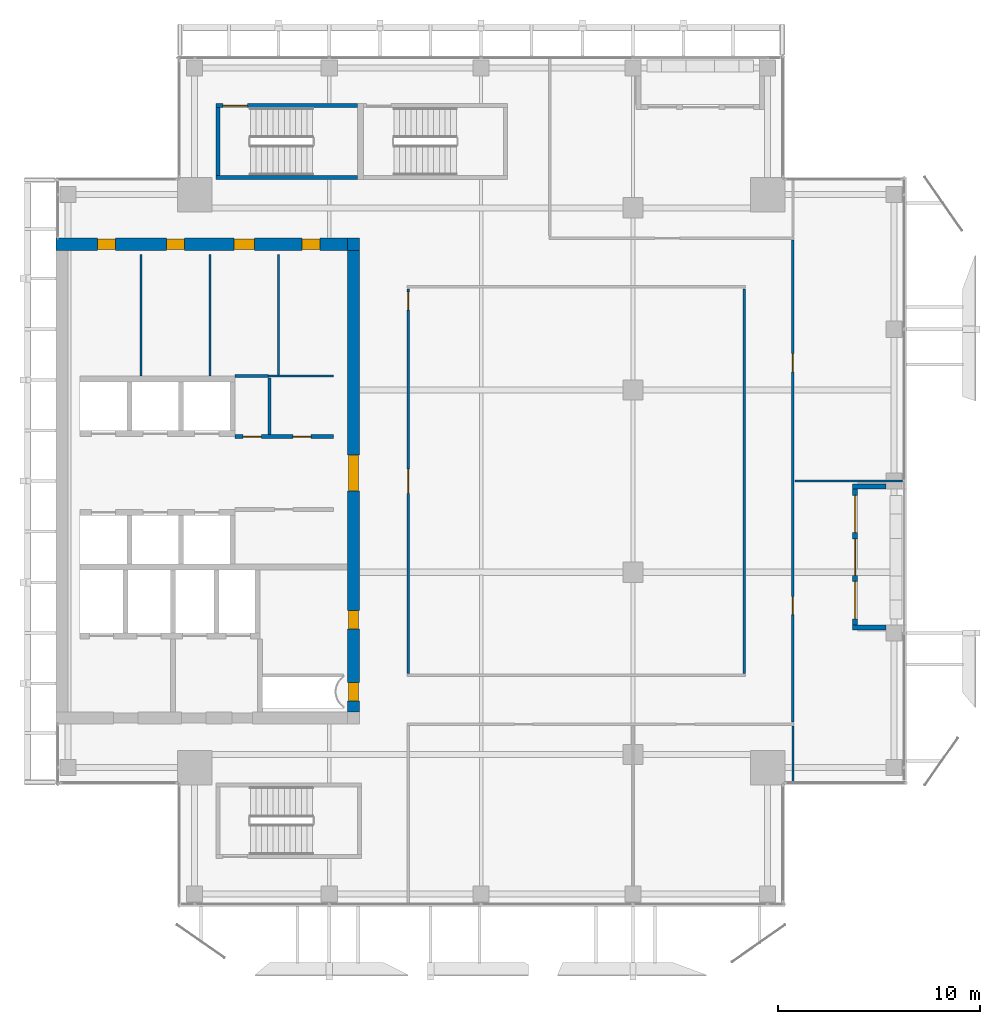
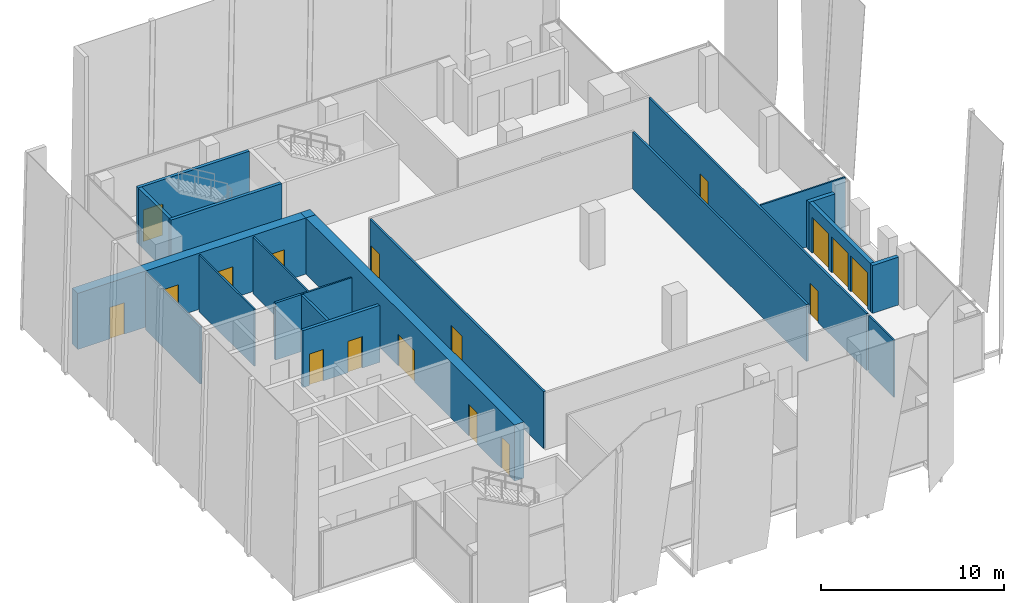
# One storey, part 27 of 32: 21 walls, 15 doors, 2 windows, 17 openings.
"""IFC4 building model written with IfcOpenShell, lengths in metres."""

from ifc_helpers import new_model, si_unit, direction, frame, frame_2d, origin, place, context, subcontext, project, spatial, rectangle, extrude, source, transform, mapped, material, layer, layer_set, type_object, element, fill, save


model = new_model("IFC4")

# Units and contexts
model_context = context("Model", 3, precision=1e-05, world=origin(), true_north=direction((0.0, 1.0)))
body_context = subcontext(model_context, "Body", "Model", "MODEL_VIEW")
ifc_project = project(units=[si_unit("LENGTHUNIT", "METRE"), si_unit("AREAUNIT", "SQUARE_METRE"), si_unit("VOLUMEUNIT", "CUBIC_METRE"), si_unit("PLANEANGLEUNIT", "RADIAN"), si_unit("MASSUNIT", "GRAM", prefix="KILO")], contexts=[model_context])

# Site, building, storey
site_placement = place(None, origin())
site = spatial("IfcSite", under=ifc_project, at=site_placement, CompositionType="ELEMENT")
building_placement = place(site_placement, origin())
building = spatial("IfcBuilding", under=site, at=building_placement, Name="Khomas Fold Tower", CompositionType="ELEMENT")
storey_placement = place(building_placement, frame((0.0, 0.0, 318.199951171875)))
storey = spatial("IfcBuildingStorey", under=building, at=storey_placement, Name="L72", CompositionType="ELEMENT", Elevation=318.199951171875)

# Wall, opening, door
ifc_material_1 = material(Name="Concrete C50/60", Category="concrete")
ifc_layer_1 = layer(ifc_material_1, 0.199951171875)
ifc_layer_set_1 = layer_set([ifc_layer_1], Name="Concrete C50/60")
wall_type_1 = type_object("IfcWallType", Name="Stair wall 200", PredefinedType="SHEAR", material=ifc_layer_set_1)
shared_shape_1 = source(origin(), body_context, "Body", "SweptSolid", [
    extrude(rectangle(XDim=7.0, YDim=0.199951171875, at=frame_2d((3.5, 0.0))), origin(), (0.0, 0.0, 1.0), 3.75),
])
wall_1_placement = place(storey_placement, frame((13.89990234375, 45.550048828125, 0.0), z_axis=(0.0, 0.0, 1.0), x_axis=(1.0, 0.0, 0.0)))
wall_1 = element("IfcWall", 1, at=wall_1_placement, inside=storey, type_object=wall_type_1, Name="Stair wall SW-ST1-N", PredefinedType="SHEAR", context=body_context, shape_type="MappedRepresentation", body=[
    mapped(shared_shape_1, transform((0.0, 0.0, 0.0))),
])
shared_shape_2 = source(origin(), body_context, "Body", "SweptSolid", [
    extrude(rectangle(XDim=1.199951171875, YDim=2.10009765625, at=frame_2d((0.60009765625, 1.050048828125))), frame((0.0, 0.10986328125, 0.0), z_axis=(0.0, -1.0, 0.0), x_axis=(1.0, 0.0, 0.0)), (0.0, 0.0, 1.0), 0.219970703125),
])
opening_1_placement = place(wall_1_placement, frame((0.35009765625, 0.0, 0.0)))
opening_1 = element("IfcOpeningElement", 2, at=opening_1_placement, cuts=wall_1, Name="Opening SD-ST1", PredefinedType="OPENING", context=body_context, shape_type="MappedRepresentation", body=[
    mapped(shared_shape_2, transform((0.0, 0.0, 0.0))),
])
ifc_material_2 = material(Name="Steel door leaf", Category="steel")
door_type_1 = type_object("IfcDoorType", Name="Stair door 1200x2100 left-hand", OperationType="SINGLE_SWING_LEFT", PredefinedType="DOOR", material=ifc_material_2)
shared_shape_3 = source(origin(), body_context, "Body", "SweptSolid", [
    extrude(rectangle(XDim=1.199951171875, YDim=2.10009765625, at=frame_2d((0.60009765625, 1.050048828125))), frame((0.0, 0.02490234375, 0.0), z_axis=(0.0, -1.0, 0.0), x_axis=(1.0, 0.0, 0.0)), (0.0, 0.0, 1.0), 0.050048828125),
])
door_1_placement = place(opening_1_placement, origin())
door_1 = element("IfcDoor", 3, at=door_1_placement, inside=storey, type_object=door_type_1, Name="Stair door", OperationType="SINGLE_SWING_LEFT", OverallHeight=2.10009765625, OverallWidth=1.199951171875, PredefinedType="DOOR", context=body_context, shape_type="MappedRepresentation", body=[
    mapped(shared_shape_3, transform((0.0, 0.0, 0.0))),
])
fill(opening_1, door_1)

# Walls
wall_2_placement = place(storey_placement, frame((13.89990234375, 42.0, 0.0), z_axis=(0.0, 0.0, 1.0), x_axis=(1.0, 0.0, 0.0)))
element("IfcWall", 4, at=wall_2_placement, inside=storey, type_object=wall_type_1, Name="Stair wall SW-ST1-S", PredefinedType="SHEAR", context=body_context, shape_type="MappedRepresentation", body=[
    mapped(shared_shape_1, transform((0.0, 0.0, 0.0))),
])
shared_shape_4 = source(origin(), body_context, "Body", "SweptSolid", [
    extrude(rectangle(XDim=3.349853515625, YDim=0.199951171875, at=frame_2d((1.6748046875, 0.0))), origin(), (0.0, 0.0, 1.0), 3.75),
])
wall_3_placement = place(storey_placement, frame((14.0, 42.10009765625, 0.0), z_axis=(0.0, 0.0, 1.0), x_axis=(0.0, 1.0, 0.0)))
element("IfcWall", 5, at=wall_3_placement, inside=storey, type_object=wall_type_1, Name="Stair wall SW-ST1-W", PredefinedType="SHEAR", context=body_context, shape_type="MappedRepresentation", body=[
    mapped(shared_shape_4, transform((0.0, 0.0, 0.0))),
])

# Wall, openings, doors
ifc_material_3 = material(Name="Concrete C50/60", Category="concrete")
ifc_layer_2 = layer(ifc_material_3, 0.60009765625)
ifc_layer_set_2 = layer_set([ifc_layer_2], Name="Concrete C50/60")
wall_type_2 = type_object("IfcWallType", Name="Core wall 600", PredefinedType="SHEAR", material=ifc_layer_set_2)
shared_shape_5 = source(origin(), body_context, "Body", "SweptSolid", [
    extrude(rectangle(XDim=14.39990234375, YDim=0.60009765625, at=frame_2d((7.199951171875, 0.0))), origin(), (0.0, 0.0, 1.0), 3.75),
])
wall_4_placement = place(storey_placement, frame((6.0, 38.699951171875, 0.0), z_axis=(0.0, 0.0, 1.0), x_axis=(1.0, 0.0, 0.0)))
wall_4 = element("IfcWall", 6, at=wall_4_placement, inside=storey, type_object=wall_type_2, Name="Core wall CW-U-N-L63", PredefinedType="SHEAR", context=body_context, shape_type="MappedRepresentation", body=[
    mapped(shared_shape_5, transform((0.0, 0.0, 0.0))),
])
shared_shape_6 = source(origin(), body_context, "Body", "SweptSolid", [
    extrude(rectangle(XDim=0.89990234375, YDim=2.10009765625, at=frame_2d((0.449951171875, 1.050048828125))), frame((0.0, 0.31005859375, 0.0), z_axis=(0.0, -1.0, 0.0), x_axis=(1.0, 0.0, 0.0)), (0.0, 0.0, 1.0), 0.6201171875),
])
opening_2_placement = place(wall_4_placement, frame((2.050048828125, 0.0, 0.0)))
opening_2 = element("IfcOpeningElement", 7, at=opening_2_placement, cuts=wall_4, Name="Opening 0004", PredefinedType="OPENING", context=body_context, shape_type="MappedRepresentation", body=[
    mapped(shared_shape_6, transform((0.0, 0.0, 0.0))),
])
opening_3_placement = place(wall_4_placement, frame((5.449951171875, 0.0, 0.0)))
opening_3 = element("IfcOpeningElement", 8, at=opening_3_placement, cuts=wall_4, Name="Opening 0004", PredefinedType="OPENING", context=body_context, shape_type="MappedRepresentation", body=[
    mapped(shared_shape_6, transform((0.0, 0.0, 0.0))),
])
shared_shape_7 = source(origin(), body_context, "Body", "SweptSolid", [
    extrude(rectangle(XDim=1.0, YDim=2.10009765625, at=frame_2d((0.5, 1.050048828125))), frame((0.0, 0.31005859375, 0.0), z_axis=(0.0, -1.0, 0.0), x_axis=(1.0, 0.0, 0.0)), (0.0, 0.0, 1.0), 0.6201171875),
])
opening_4_placement = place(wall_4_placement, frame((8.800048828125, 0.0, 0.0)))
opening_4 = element("IfcOpeningElement", 9, at=opening_4_placement, cuts=wall_4, Name="Opening 0006", PredefinedType="OPENING", context=body_context, shape_type="MappedRepresentation", body=[
    mapped(shared_shape_7, transform((0.0, 0.0, 0.0))),
])
opening_5_placement = place(wall_4_placement, frame((12.14990234375, 0.0, 0.0)))
opening_5 = element("IfcOpeningElement", 10, at=opening_5_placement, cuts=wall_4, Name="Opening 0008", PredefinedType="OPENING", context=body_context, shape_type="MappedRepresentation", body=[
    mapped(shared_shape_6, transform((0.0, 0.0, 0.0))),
])
ifc_material_4 = material(Name="Timber door leaf", Category="wood")
door_type_2 = type_object("IfcDoorType", Name="WC door 900x2100 right-hand", OperationType="SINGLE_SWING_RIGHT", PredefinedType="DOOR", material=ifc_material_4)
shared_shape_8 = source(origin(), body_context, "Body", "SweptSolid", [
    extrude(rectangle(XDim=0.89990234375, YDim=2.10009765625, at=frame_2d((0.449951171875, 1.050048828125))), frame((0.0, 0.25, 0.0), z_axis=(0.0, -1.0, 0.0), x_axis=(1.0, 0.0, 0.0)), (0.0, 0.0, 1.0), 0.5),
])
door_2_placement = place(opening_2_placement, origin())
door_2 = element("IfcDoor", 11, at=door_2_placement, inside=storey, type_object=door_type_2, Name="WC door", OperationType="SINGLE_SWING_RIGHT", OverallHeight=2.10009765625, OverallWidth=0.89990234375, PredefinedType="DOOR", context=body_context, shape_type="MappedRepresentation", body=[
    mapped(shared_shape_8, transform((0.0, 0.0, 0.0))),
])
fill(opening_2, door_2)
door_3_placement = place(opening_3_placement, origin())
door_3 = element("IfcDoor", 12, at=door_3_placement, inside=storey, type_object=door_type_2, Name="WC door", OperationType="SINGLE_SWING_RIGHT", OverallHeight=2.10009765625, OverallWidth=0.89990234375, PredefinedType="DOOR", context=body_context, shape_type="MappedRepresentation", body=[
    mapped(shared_shape_8, transform((0.0, 0.0, 0.0))),
])
fill(opening_3, door_3)
ifc_material_5 = material(Name="Timber door leaf", Category="wood")
door_type_3 = type_object("IfcDoorType", Name="Door 900x2100 right-hand", OperationType="SINGLE_SWING_RIGHT", PredefinedType="DOOR", material=ifc_material_5)
door_4_placement = place(opening_5_placement, origin())
door_4 = element("IfcDoor", 13, at=door_4_placement, inside=storey, type_object=door_type_3, Name="Door", OperationType="SINGLE_SWING_RIGHT", OverallHeight=2.10009765625, OverallWidth=0.89990234375, PredefinedType="DOOR", context=body_context, shape_type="MappedRepresentation", body=[
    mapped(shared_shape_8, transform((0.0, 0.0, 0.0))),
])
fill(opening_5, door_4)
ifc_material_6 = material(Name="Timber door leaf", Category="wood")
door_type_4 = type_object("IfcDoorType", Name="WC door 1000x2100 right-hand", OperationType="SINGLE_SWING_RIGHT", PredefinedType="DOOR", material=ifc_material_6)
shared_shape_9 = source(origin(), body_context, "Body", "SweptSolid", [
    extrude(rectangle(XDim=1.0, YDim=2.10009765625, at=frame_2d((0.5, 1.050048828125))), frame((0.0, 0.25, 0.0), z_axis=(0.0, -1.0, 0.0), x_axis=(1.0, 0.0, 0.0)), (0.0, 0.0, 1.0), 0.5),
])
door_5_placement = place(opening_4_placement, origin())
door_5 = element("IfcDoor", 14, at=door_5_placement, inside=storey, type_object=door_type_4, Name="WC door", OperationType="SINGLE_SWING_RIGHT", OverallHeight=2.10009765625, OverallWidth=1.0, PredefinedType="DOOR", context=body_context, shape_type="MappedRepresentation", body=[
    mapped(shared_shape_9, transform((0.0, 0.0, 0.0))),
])
fill(opening_4, door_5)

# Wall
ifc_material_7 = material(Name="Concrete C50/60", Category="concrete")
ifc_layer_3 = layer(ifc_material_7, 0.60009765625)
ifc_layer_set_3 = layer_set([ifc_layer_3], Name="Concrete C50/60")
wall_type_3 = type_object("IfcWallType", Name="Core corner wall 600", PredefinedType="SHEAR", material=ifc_layer_set_3)
shared_shape_10 = source(origin(), body_context, "Body", "SweptSolid", [
    extrude(rectangle(XDim=0.60009765625, YDim=0.60009765625, at=frame_2d((0.300048828125, 0.0))), origin(), (0.0, 0.0, 1.0), 3.75),
])
wall_5_placement = place(storey_placement, frame((20.39990234375, 38.699951171875, 0.0), z_axis=(0.0, 0.0, 1.0), x_axis=(1.0, 0.0, 0.0)))
element("IfcWall", 15, at=wall_5_placement, inside=storey, type_object=wall_type_3, Name="Core wall CW-U-NE-L63", PredefinedType="SHEAR", context=body_context, shape_type="MappedRepresentation", body=[
    mapped(shared_shape_10, transform((0.0, 0.0, 0.0))),
])

# Wall, openings, doors
shared_shape_11 = source(origin(), body_context, "Body", "SweptSolid", [
    extrude(rectangle(XDim=22.7998046875, YDim=0.60009765625, at=frame_2d((11.39990234375, 0.0))), origin(), (0.0, 0.0, 1.0), 3.75),
])
wall_6_placement = place(storey_placement, frame((20.699951171875, 15.60009765625, 0.0), z_axis=(0.0, 0.0, 1.0), x_axis=(0.0, 1.0, 0.0)))
wall_6 = element("IfcWall", 16, at=wall_6_placement, inside=storey, type_object=wall_type_2, Name="Core wall CW-U-E-L63", PredefinedType="SHEAR", context=body_context, shape_type="MappedRepresentation", body=[
    mapped(shared_shape_11, transform((0.0, 0.0, 0.0))),
])
shared_shape_12 = source(origin(), body_context, "Body", "SweptSolid", [
    extrude(rectangle(XDim=1.800048828125, YDim=2.10009765625, at=frame_2d((0.89990234375, 1.050048828125))), frame((0.0, 0.31005859375, 0.0), z_axis=(0.0, -1.0, 0.0), x_axis=(1.0, 0.0, 0.0)), (0.0, 0.0, 1.0), 0.6201171875),
])
opening_6_placement = place(wall_6_placement, frame((10.89990234375, 0.0, 0.0)))
opening_6 = element("IfcOpeningElement", 17, at=opening_6_placement, cuts=wall_6, Name="Opening 0015", PredefinedType="OPENING", context=body_context, shape_type="MappedRepresentation", body=[
    mapped(shared_shape_12, transform((0.0, 0.0, 0.0))),
])
opening_7_placement = place(wall_6_placement, frame((0.550048828125, 0.0, 0.0)))
opening_7 = element("IfcOpeningElement", 18, at=opening_7_placement, cuts=wall_6, Name="Opening 0003", PredefinedType="OPENING", context=body_context, shape_type="MappedRepresentation", body=[
    mapped(shared_shape_6, transform((0.0, 0.0, 0.0))),
])
opening_8_placement = place(wall_6_placement, frame((4.10009765625, 0.0, 0.0)))
opening_8 = element("IfcOpeningElement", 19, at=opening_8_placement, cuts=wall_6, Name="Opening 0008", PredefinedType="OPENING", context=body_context, shape_type="MappedRepresentation", body=[
    mapped(shared_shape_6, transform((0.0, 0.0, 0.0))),
])
ifc_material_8 = material(Name="Steel door leaf", Category="steel")
door_type_5 = type_object("IfcDoorType", Name="Lobby door 1800x2100", OperationType="DOUBLE_DOOR_SINGLE_SWING", PredefinedType="DOOR", material=ifc_material_8)
shared_shape_13 = source(origin(), body_context, "Body", "SweptSolid", [
    extrude(rectangle(XDim=1.800048828125, YDim=2.10009765625, at=frame_2d((0.89990234375, 1.050048828125))), frame((0.0, 0.25, 0.0), z_axis=(0.0, -1.0, 0.0), x_axis=(1.0, 0.0, 0.0)), (0.0, 0.0, 1.0), 0.5),
])
door_6_placement = place(opening_6_placement, origin())
door_6 = element("IfcDoor", 20, at=door_6_placement, inside=storey, type_object=door_type_5, Name="Lobby door", OperationType="DOUBLE_DOOR_SINGLE_SWING", OverallHeight=2.10009765625, OverallWidth=1.800048828125, PredefinedType="DOOR", context=body_context, shape_type="MappedRepresentation", body=[
    mapped(shared_shape_13, transform((0.0, 0.0, 0.0))),
])
fill(opening_6, door_6)
ifc_material_9 = material(Name="Steel door leaf", Category="steel")
door_type_6 = type_object("IfcDoorType", Name="Plant room door 900x2100 right-hand", OperationType="SINGLE_SWING_RIGHT", PredefinedType="DOOR", material=ifc_material_9)
door_7_placement = place(opening_7_placement, origin())
door_7 = element("IfcDoor", 21, at=door_7_placement, inside=storey, type_object=door_type_6, Name="Plant room door", OperationType="SINGLE_SWING_RIGHT", OverallHeight=2.10009765625, OverallWidth=0.89990234375, PredefinedType="DOOR", context=body_context, shape_type="MappedRepresentation", body=[
    mapped(shared_shape_8, transform((0.0, 0.0, 0.0))),
])
fill(opening_7, door_7)
door_8_placement = place(opening_8_placement, origin())
door_8 = element("IfcDoor", 22, at=door_8_placement, inside=storey, type_object=door_type_3, Name="Door", OperationType="SINGLE_SWING_RIGHT", OverallHeight=2.10009765625, OverallWidth=0.89990234375, PredefinedType="DOOR", context=body_context, shape_type="MappedRepresentation", body=[
    mapped(shared_shape_8, transform((0.0, 0.0, 0.0))),
])
fill(opening_8, door_8)

# Wall, openings, door, windows
ifc_material_10 = material(Name="Natural stone", Category="masonry")
ifc_layer_4 = layer(ifc_material_10, 0.0400390625)
ifc_material_11 = material(Name="Mineral wool insulation", Category="insulation")
ifc_layer_5 = layer(ifc_material_11, 0.10009765625)
ifc_material_12 = material(Name="Masonry", Category="masonry")
ifc_layer_6 = layer(ifc_material_12, 0.110107421875)
ifc_layer_set_4 = layer_set([ifc_layer_4, ifc_layer_5, ifc_layer_6], Name="Stone-faced insulated masonry")
wall_type_4 = type_object("IfcWallType", Name="BL-Balcony wall", PredefinedType="SOLIDWALL", material=ifc_layer_set_4)
shared_shape_14 = source(origin(), body_context, "Body", "SweptSolid", [
    extrude(rectangle(XDim=6.7001953125, YDim=0.25, at=frame_2d((3.35009765625, 0.0))), origin(), (0.0, 0.0, 1.0), 3.199951171875),
])
wall_7_placement = place(storey_placement, frame((45.47509765625, 19.89990234375, 0.0), z_axis=(0.0, 0.0, 1.0), x_axis=(0.0, 1.0, 0.0)))
wall_7 = element("IfcWall", 23, at=wall_7_placement, inside=storey, type_object=wall_type_4, Name="Balcony wall BAL-L72-E2", PredefinedType="SOLIDWALL", context=body_context, shape_type="MappedRepresentation", body=[
    mapped(shared_shape_14, transform((0.0, 0.0, 0.0))),
])
shared_shape_15 = source(origin(), body_context, "Body", "SweptSolid", [
    extrude(rectangle(XDim=1.85009765625, YDim=2.39990234375, at=frame_2d((0.925048828125, 1.199951171875))), frame((0.0, 0.135009765625, 0.0), z_axis=(0.0, -1.0, 0.0), x_axis=(1.0, 0.0, 0.0)), (0.0, 0.0, 1.0), 0.27001953125),
])
opening_9_placement = place(wall_7_placement, frame((0.300048828125, 0.0, 0.0)))
opening_9 = element("IfcOpeningElement", 24, at=opening_9_placement, cuts=wall_7, Name="Opening BL-W7", PredefinedType="OPENING", context=body_context, shape_type="MappedRepresentation", body=[
    mapped(shared_shape_15, transform((0.0, 0.0, 0.0))),
])
opening_10_placement = place(wall_7_placement, frame((4.550048828125, 0.0, 0.0)))
opening_10 = element("IfcOpeningElement", 25, at=opening_10_placement, cuts=wall_7, Name="Opening BL-W7", PredefinedType="OPENING", context=body_context, shape_type="MappedRepresentation", body=[
    mapped(shared_shape_15, transform((0.0, 0.0, 0.0))),
])
shared_shape_16 = source(origin(), body_context, "Body", "SweptSolid", [
    extrude(rectangle(XDim=1.800048828125, YDim=2.39990234375, at=frame_2d((0.89990234375, 1.199951171875))), frame((0.0, 0.135009765625, 0.0), z_axis=(0.0, -1.0, 0.0), x_axis=(1.0, 0.0, 0.0)), (0.0, 0.0, 1.0), 0.27001953125),
])
opening_11_placement = place(wall_7_placement, frame((2.449951171875, 0.0, 0.0)))
opening_11 = element("IfcOpeningElement", 26, at=opening_11_placement, cuts=wall_7, Name="Opening BD721", PredefinedType="OPENING", context=body_context, shape_type="MappedRepresentation", body=[
    mapped(shared_shape_16, transform((0.0, 0.0, 0.0))),
])
ifc_material_13 = material(Name="Aluminium framed double glazing", Category="aluminium")
door_type_7 = type_object("IfcDoorType", Name="BL-Glazed balcony door 1800 x 2400", OperationType="DOUBLE_DOOR_DOUBLE_SWING", PredefinedType="DOOR", material=ifc_material_13)
shared_shape_17 = source(origin(), body_context, "Body", "SweptSolid", [
    extrude(rectangle(XDim=1.800048828125, YDim=2.39990234375, at=frame_2d((0.89990234375, 1.199951171875))), frame((0.0, 0.02490234375, 0.0), z_axis=(0.0, -1.0, 0.0), x_axis=(1.0, 0.0, 0.0)), (0.0, 0.0, 1.0), 0.050048828125),
])
door_9_placement = place(opening_11_placement, origin())
door_9 = element("IfcDoor", 27, at=door_9_placement, inside=storey, type_object=door_type_7, Name="Balcony door BD721", OperationType="DOUBLE_DOOR_DOUBLE_SWING", OverallHeight=2.39990234375, OverallWidth=1.800048828125, PredefinedType="DOOR", context=body_context, shape_type="MappedRepresentation", body=[
    mapped(shared_shape_17, transform((0.0, 0.0, 0.0))),
])
fill(opening_11, door_9)
ifc_material_14 = material(Name="Aluminium framed double glazing", Category="aluminium")
window_type = type_object("IfcWindowType", Name="BL-Fixed glazing 1850 x 2400", PartitioningType="SINGLE_PANEL", PredefinedType="WINDOW", material=ifc_material_14)
shared_shape_18 = source(origin(), body_context, "Body", "SweptSolid", [
    extrude(rectangle(XDim=1.85009765625, YDim=2.39990234375, at=frame_2d((0.925048828125, 1.199951171875))), frame((0.0, 0.030029296875, 0.0), z_axis=(0.0, -1.0, 0.0), x_axis=(1.0, 0.0, 0.0)), (0.0, 0.0, 1.0), 0.06005859375),
])
window_1_placement = place(opening_9_placement, origin())
window_1 = element("IfcWindow", 28, at=window_1_placement, inside=storey, type_object=window_type, Name="Balcony glazing BAL-L72-E2-1", OverallHeight=2.39990234375, OverallWidth=1.85009765625, PartitioningType="SINGLE_PANEL", PredefinedType="WINDOW", context=body_context, shape_type="MappedRepresentation", body=[
    mapped(shared_shape_18, transform((0.0, 0.0, 0.0))),
])
fill(opening_9, window_1)
window_2_placement = place(opening_10_placement, origin())
window_2 = element("IfcWindow", 29, at=window_2_placement, inside=storey, type_object=window_type, Name="Balcony glazing BAL-L72-E2-2", OverallHeight=2.39990234375, OverallWidth=1.85009765625, PartitioningType="SINGLE_PANEL", PredefinedType="WINDOW", context=body_context, shape_type="MappedRepresentation", body=[
    mapped(shared_shape_18, transform((0.0, 0.0, 0.0))),
])
fill(opening_10, window_2)

# Walls
shared_shape_19 = source(origin(), body_context, "Body", "SweptSolid", [
    extrude(rectangle(XDim=1.64990234375, YDim=0.25, at=frame_2d((0.824951171875, 0.0))), origin(), (0.0, 0.0, 1.0), 3.199951171875),
])
for number, where, z_axis, x_axis, name in (
    (30, (47.0, 19.77490234375, 0.0), (0.0, 0.0, 1.0), (-1.0, 0.0, 0.0), "Balcony return wall BAL-L72-E2-lo"),
    (31, (47.0, 26.72509765625, 0.0), (0.0, 0.0, 1.0), (-1.0, 0.0, 0.0), "Balcony return wall BAL-L72-E2-hi"),
):
    element("IfcWall", number, at=place(storey_placement, frame(where, z_axis=z_axis, x_axis=x_axis)), inside=storey, type_object=wall_type_4, Name=name, PredefinedType="SOLIDWALL", context=body_context, shape_type="MappedRepresentation", body=[
        mapped(shared_shape_19, transform((0.0, 0.0, 0.0))),
    ])
ifc_material_15 = material(Name="Plasterboard partition")
ifc_layer_7 = layer(ifc_material_15, 0.10009765625)
ifc_layer_set_5 = layer_set([ifc_layer_7], Name="Plasterboard partition")
wall_type_5 = type_object("IfcWallType", Name="Partition PW1 100", PredefinedType="PARTITIONING", material=ifc_layer_set_5)
shared_shape_20 = source(origin(), body_context, "Body", "SweptSolid", [
    extrude(rectangle(XDim=6.0, YDim=0.10009765625, at=frame_2d((3.0, 0.0))), origin(), (0.0, 0.0, 1.0), 3.800048828125),
])
for number, where, z_axis, x_axis, name in (
    (32, (10.199951171875, 32.199951171875, 0.0), (0.0, 0.0, 1.0), (0.0, 1.0, 0.0), "Partition"),
    (33, (13.60009765625, 32.199951171875, 0.0), (0.0, 0.0, 1.0), (0.0, 1.0, 0.0), "Partition"),
):
    element("IfcWall", number, at=place(storey_placement, frame(where, z_axis=z_axis, x_axis=x_axis)), inside=storey, type_object=wall_type_5, Name=name, PredefinedType="PARTITIONING", context=body_context, shape_type="MappedRepresentation", body=[
        mapped(shared_shape_20, transform((0.0, 0.0, 0.0))),
    ])

# Wall, openings, doors
ifc_material_16 = material(Name="Plasterboard partition")
ifc_layer_8 = layer(ifc_material_16, 0.125)
ifc_layer_set_6 = layer_set([ifc_layer_8], Name="Plasterboard partition")
wall_type_6 = type_object("IfcWallType", Name="Partition PW2 125", PredefinedType="PARTITIONING", material=ifc_layer_set_6)
shared_shape_21 = source(origin(), body_context, "Body", "SweptSolid", [
    extrude(rectangle(XDim=19.0, YDim=0.125, at=frame_2d((9.5, 0.0))), origin(), (0.0, 0.0, 1.0), 3.800048828125),
])
wall_8_placement = place(storey_placement, frame((23.39990234375, 17.5, 0.0), z_axis=(0.0, 0.0, 1.0), x_axis=(0.0, 1.0, 0.0)))
wall_8 = element("IfcWall", 34, at=wall_8_placement, inside=storey, type_object=wall_type_6, Name="Partition", PredefinedType="PARTITIONING", context=body_context, shape_type="MappedRepresentation", body=[
    mapped(shared_shape_21, transform((0.0, 0.0, 0.0))),
])
shared_shape_22 = source(origin(), body_context, "Body", "SweptSolid", [
    extrude(rectangle(XDim=1.199951171875, YDim=2.10009765625, at=frame_2d((0.60009765625, 1.050048828125))), frame((0.0, 0.072509765625, 0.0), z_axis=(0.0, -1.0, 0.0), x_axis=(1.0, 0.0, 0.0)), (0.0, 0.0, 1.0), 0.14501953125),
])
opening_12_placement = place(wall_8_placement, frame((8.89990234375, 0.0, 0.0)))
opening_12 = element("IfcOpeningElement", 35, at=opening_12_placement, cuts=wall_8, Name="Opening 0013", PredefinedType="OPENING", context=body_context, shape_type="MappedRepresentation", body=[
    mapped(shared_shape_22, transform((0.0, 0.0, 0.0))),
])
shared_shape_23 = source(origin(), body_context, "Body", "SweptSolid", [
    extrude(rectangle(XDim=0.89990234375, YDim=2.10009765625, at=frame_2d((0.449951171875, 1.050048828125))), frame((0.0, 0.072509765625, 0.0), z_axis=(0.0, -1.0, 0.0), x_axis=(1.0, 0.0, 0.0)), (0.0, 0.0, 1.0), 0.14501953125),
])
opening_13_placement = place(wall_8_placement, frame((17.949951171875, 0.0, 0.0)))
opening_13 = element("IfcOpeningElement", 36, at=opening_13_placement, cuts=wall_8, Name="Opening 0008", PredefinedType="OPENING", context=body_context, shape_type="MappedRepresentation", body=[
    mapped(shared_shape_23, transform((0.0, 0.0, 0.0))),
])
shared_shape_24 = source(origin(), body_context, "Body", "SweptSolid", [
    extrude(rectangle(XDim=0.89990234375, YDim=2.10009765625, at=frame_2d((0.449951171875, 1.050048828125))), frame((0.0, 0.02490234375, 0.0), z_axis=(0.0, -1.0, 0.0), x_axis=(1.0, 0.0, 0.0)), (0.0, 0.0, 1.0), 0.050048828125),
])
door_10_placement = place(opening_13_placement, origin())
door_10 = element("IfcDoor", 37, at=door_10_placement, inside=storey, type_object=door_type_3, Name="Door", OperationType="SINGLE_SWING_RIGHT", OverallHeight=2.10009765625, OverallWidth=0.89990234375, PredefinedType="DOOR", context=body_context, shape_type="MappedRepresentation", body=[
    mapped(shared_shape_24, transform((0.0, 0.0, 0.0))),
])
fill(opening_13, door_10)
ifc_material_17 = material(Name="Timber door leaf", Category="wood")
door_type_8 = type_object("IfcDoorType", Name="Door 1200x2100 left-hand", OperationType="SINGLE_SWING_LEFT", PredefinedType="DOOR", material=ifc_material_17)
door_11_placement = place(opening_12_placement, origin())
door_11 = element("IfcDoor", 38, at=door_11_placement, inside=storey, type_object=door_type_8, Name="Door", OperationType="SINGLE_SWING_LEFT", OverallHeight=2.10009765625, OverallWidth=1.199951171875, PredefinedType="DOOR", context=body_context, shape_type="MappedRepresentation", body=[
    mapped(shared_shape_3, transform((0.0, 0.0, 0.0))),
])
fill(opening_12, door_11)

# Wall
wall_9_placement = place(storey_placement, frame((40.0, 17.5, 0.0), z_axis=(0.0, 0.0, 1.0), x_axis=(0.0, 1.0, 0.0)))
element("IfcWall", 39, at=wall_9_placement, inside=storey, type_object=wall_type_6, Name="Partition", PredefinedType="PARTITIONING", context=body_context, shape_type="MappedRepresentation", body=[
    mapped(shared_shape_21, transform((0.0, 0.0, 0.0))),
])

# Wall, openings, doors
ifc_material_18 = material(Name="Concrete C30/37", Category="concrete")
ifc_layer_9 = layer(ifc_material_18, 0.199951171875)
ifc_layer_set_7 = layer_set([ifc_layer_9], Name="Concrete C30/37")
wall_type_7 = type_object("IfcWallType", Name="Lobby wall PW4 200", PredefinedType="PARTITIONING", material=ifc_layer_set_7)
shared_shape_25 = source(origin(), body_context, "Body", "SweptSolid", [
    extrude(rectangle(XDim=4.849853515625, YDim=0.199951171875, at=frame_2d((2.4248046875, 0.0))), origin(), (0.0, 0.0, 1.0), 3.800048828125),
])
wall_10_placement = place(storey_placement, frame((14.85009765625, 29.199951171875, 0.0), z_axis=(0.0, 0.0, 1.0), x_axis=(1.0, 0.0, 0.0)))
wall_10 = element("IfcWall", 40, at=wall_10_placement, inside=storey, type_object=wall_type_7, Name="Lobby wall", PredefinedType="PARTITIONING", context=body_context, shape_type="MappedRepresentation", body=[
    mapped(shared_shape_25, transform((0.0, 0.0, 0.0))),
])
shared_shape_26 = source(origin(), body_context, "Body", "SweptSolid", [
    extrude(rectangle(XDim=0.89990234375, YDim=2.10009765625, at=frame_2d((0.449951171875, 1.050048828125))), frame((0.0, 0.10986328125, 0.0), z_axis=(0.0, -1.0, 0.0), x_axis=(1.0, 0.0, 0.0)), (0.0, 0.0, 1.0), 0.219970703125),
])
opening_14_placement = place(wall_10_placement, frame((0.39990234375, 0.0, 0.0)))
opening_14 = element("IfcOpeningElement", 41, at=opening_14_placement, cuts=wall_10, Name="Opening 0003", PredefinedType="OPENING", context=body_context, shape_type="MappedRepresentation", body=[
    mapped(shared_shape_26, transform((0.0, 0.0, 0.0))),
])
opening_15_placement = place(wall_10_placement, frame((2.85009765625, 0.0, 0.0)))
opening_15 = element("IfcOpeningElement", 42, at=opening_15_placement, cuts=wall_10, Name="Opening 0021", PredefinedType="OPENING", context=body_context, shape_type="MappedRepresentation", body=[
    mapped(shared_shape_26, transform((0.0, 0.0, 0.0))),
])
door_12_placement = place(opening_14_placement, origin())
door_12 = element("IfcDoor", 43, at=door_12_placement, inside=storey, type_object=door_type_6, Name="Plant room door", OperationType="SINGLE_SWING_RIGHT", OverallHeight=2.10009765625, OverallWidth=0.89990234375, PredefinedType="DOOR", context=body_context, shape_type="MappedRepresentation", body=[
    mapped(shared_shape_24, transform((0.0, 0.0, 0.0))),
])
fill(opening_14, door_12)
ifc_material_19 = material(Name="Steel door leaf", Category="steel")
door_type_9 = type_object("IfcDoorType", Name="Lobby door 900x2100 left-hand", OperationType="SINGLE_SWING_LEFT", PredefinedType="DOOR", material=ifc_material_19)
door_13_placement = place(opening_15_placement, origin())
door_13 = element("IfcDoor", 44, at=door_13_placement, inside=storey, type_object=door_type_9, Name="Lobby door", OperationType="SINGLE_SWING_LEFT", OverallHeight=2.10009765625, OverallWidth=0.89990234375, PredefinedType="DOOR", context=body_context, shape_type="MappedRepresentation", body=[
    mapped(shared_shape_24, transform((0.0, 0.0, 0.0))),
])
fill(opening_15, door_13)

# Walls
ifc_material_20 = material(Name="Plasterboard fire partition")
ifc_layer_10 = layer(ifc_material_20, 0.14990234375)
ifc_layer_set_8 = layer_set([ifc_layer_10], Name="Plasterboard fire partition")
wall_type_8 = type_object("IfcWallType", Name="Plant room wall PW3 150", PredefinedType="PARTITIONING", material=ifc_layer_set_8)
shared_shape_27 = source(origin(), body_context, "Body", "SweptSolid", [
    extrude(rectangle(XDim=2.800048828125, YDim=0.14990234375, at=frame_2d((1.39990234375, 0.0))), origin(), (0.0, 0.0, 1.0), 3.800048828125),
])
wall_11_placement = place(storey_placement, frame((16.550048828125, 29.300048828125, 0.0), z_axis=(0.0, 0.0, 1.0), x_axis=(0.0, 1.0, 0.0)))
element("IfcWall", 45, at=wall_11_placement, inside=storey, type_object=wall_type_8, Name="Plant room wall", PredefinedType="PARTITIONING", context=body_context, shape_type="MappedRepresentation", body=[
    mapped(shared_shape_27, transform((0.0, 0.0, 0.0))),
])
shared_shape_28 = source(origin(), body_context, "Body", "SweptSolid", [
    extrude(rectangle(XDim=2.75, YDim=0.10009765625, at=frame_2d((1.375, 0.0))), origin(), (0.0, 0.0, 1.0), 3.800048828125),
])
wall_12_placement = place(storey_placement, frame((42.39990234375, 12.14990234375, 0.0), z_axis=(0.0, 0.0, 1.0), x_axis=(0.0, 1.0, 0.0)))
element("IfcWall", 46, at=wall_12_placement, inside=storey, type_object=wall_type_5, Name="Partition", PredefinedType="PARTITIONING", context=body_context, shape_type="MappedRepresentation", body=[
    mapped(shared_shape_28, transform((0.0, 0.0, 0.0))),
])

# Wall, openings, doors
shared_shape_29 = source(origin(), body_context, "Body", "SweptSolid", [
    extrude(rectangle(XDim=23.7998046875, YDim=0.125, at=frame_2d((11.89990234375, 0.0))), origin(), (0.0, 0.0, 1.0), 3.800048828125),
])
wall_13_placement = place(storey_placement, frame((42.39990234375, 15.10009765625, 0.0), z_axis=(0.0, 0.0, 1.0), x_axis=(0.0, 1.0, 0.0)))
wall_13 = element("IfcWall", 47, at=wall_13_placement, inside=storey, type_object=wall_type_6, Name="Partition", PredefinedType="PARTITIONING", context=body_context, shape_type="MappedRepresentation", body=[
    mapped(shared_shape_29, transform((0.0, 0.0, 0.0))),
])
opening_16_placement = place(wall_13_placement, frame((5.300048828125, 0.0, 0.0)))
opening_16 = element("IfcOpeningElement", 48, at=opening_16_placement, cuts=wall_13, Name="Opening 0007", PredefinedType="OPENING", context=body_context, shape_type="MappedRepresentation", body=[
    mapped(shared_shape_23, transform((0.0, 0.0, 0.0))),
])
opening_17_placement = place(wall_13_placement, frame((17.300048828125, 0.0, 0.0)))
opening_17 = element("IfcOpeningElement", 49, at=opening_17_placement, cuts=wall_13, Name="Opening 0007", PredefinedType="OPENING", context=body_context, shape_type="MappedRepresentation", body=[
    mapped(shared_shape_23, transform((0.0, 0.0, 0.0))),
])
ifc_material_21 = material(Name="Timber door leaf", Category="wood")
door_type_10 = type_object("IfcDoorType", Name="Door 900x2100 left-hand", OperationType="SINGLE_SWING_LEFT", PredefinedType="DOOR", material=ifc_material_21)
door_14_placement = place(opening_16_placement, origin())
door_14 = element("IfcDoor", 50, at=door_14_placement, inside=storey, type_object=door_type_10, Name="Door", OperationType="SINGLE_SWING_LEFT", OverallHeight=2.10009765625, OverallWidth=0.89990234375, PredefinedType="DOOR", context=body_context, shape_type="MappedRepresentation", body=[
    mapped(shared_shape_24, transform((0.0, 0.0, 0.0))),
])
fill(opening_16, door_14)
door_15_placement = place(opening_17_placement, origin())
door_15 = element("IfcDoor", 51, at=door_15_placement, inside=storey, type_object=door_type_10, Name="Door", OperationType="SINGLE_SWING_LEFT", OverallHeight=2.10009765625, OverallWidth=0.89990234375, PredefinedType="DOOR", context=body_context, shape_type="MappedRepresentation", body=[
    mapped(shared_shape_24, transform((0.0, 0.0, 0.0))),
])
fill(opening_17, door_15)

# Walls
shared_shape_30 = source(origin(), body_context, "Body", "SweptSolid", [
    extrude(rectangle(XDim=5.35009765625, YDim=0.10009765625, at=frame_2d((2.675048828125, 0.0))), origin(), (0.0, 0.0, 1.0), 3.800048828125),
])
wall_14_placement = place(storey_placement, frame((42.5, 27.0, 0.0), z_axis=(0.0, 0.0, 1.0), x_axis=(1.0, 0.0, 0.0)))
element("IfcWall", 52, at=wall_14_placement, inside=storey, type_object=wall_type_5, Name="Partition", PredefinedType="PARTITIONING", context=body_context, shape_type="MappedRepresentation", body=[
    mapped(shared_shape_30, transform((0.0, 0.0, 0.0))),
])
shared_shape_31 = source(origin(), body_context, "Body", "SweptSolid", [
    extrude(rectangle(XDim=1.64990234375, YDim=0.14990234375, at=frame_2d((0.824951171875, 0.0))), origin(), (0.0, 0.0, 1.0), 3.800048828125),
])
wall_15_placement = place(storey_placement, frame((14.85009765625, 32.199951171875, 0.0), z_axis=(0.0, 0.0, 1.0), x_axis=(1.0, 0.0, 0.0)))
element("IfcWall", 53, at=wall_15_placement, inside=storey, type_object=wall_type_8, Name="Plant room wall", PredefinedType="PARTITIONING", context=body_context, shape_type="MappedRepresentation", body=[
    mapped(shared_shape_31, transform((0.0, 0.0, 0.0))),
])
shared_shape_32 = source(origin(), body_context, "Body", "SweptSolid", [
    extrude(rectangle(XDim=3.199951171875, YDim=0.10009765625, at=frame_2d((1.60009765625, 0.0))), origin(), (0.0, 0.0, 1.0), 3.800048828125),
])
wall_16_placement = place(storey_placement, frame((16.5, 32.199951171875, 0.0), z_axis=(0.0, 0.0, 1.0), x_axis=(1.0, 0.0, 0.0)))
element("IfcWall", 54, at=wall_16_placement, inside=storey, type_object=wall_type_5, Name="Partition", PredefinedType="PARTITIONING", context=body_context, shape_type="MappedRepresentation", body=[
    mapped(shared_shape_32, transform((0.0, 0.0, 0.0))),
])
shared_shape_33 = source(origin(), body_context, "Body", "SweptSolid", [
    extrude(rectangle(XDim=5.949951171875, YDim=0.10009765625, at=frame_2d((2.97509765625, 0.0))), origin(), (0.0, 0.0, 1.0), 3.800048828125),
])
wall_17_placement = place(storey_placement, frame((17.0, 32.25, 0.0), z_axis=(0.0, 0.0, 1.0), x_axis=(0.0, 1.0, 0.0)))
element("IfcWall", 55, at=wall_17_placement, inside=storey, type_object=wall_type_5, Name="Partition", PredefinedType="PARTITIONING", context=body_context, shape_type="MappedRepresentation", body=[
    mapped(shared_shape_33, transform((0.0, 0.0, 0.0))),
])

save(model, "model.ifc")
